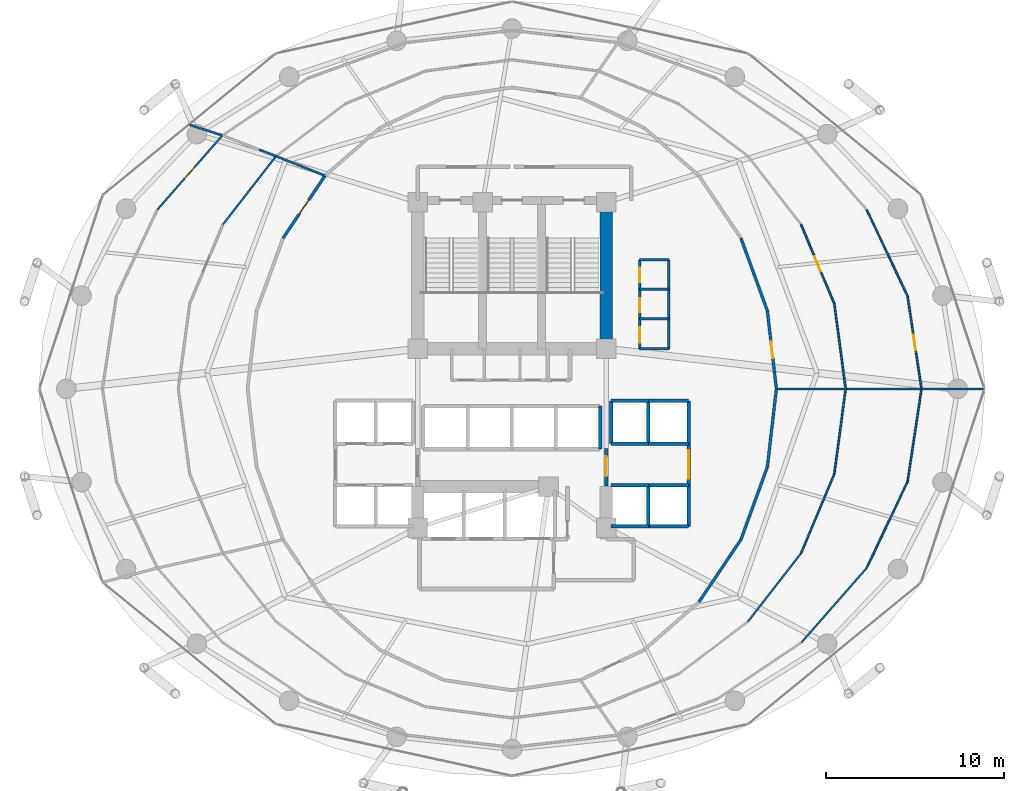
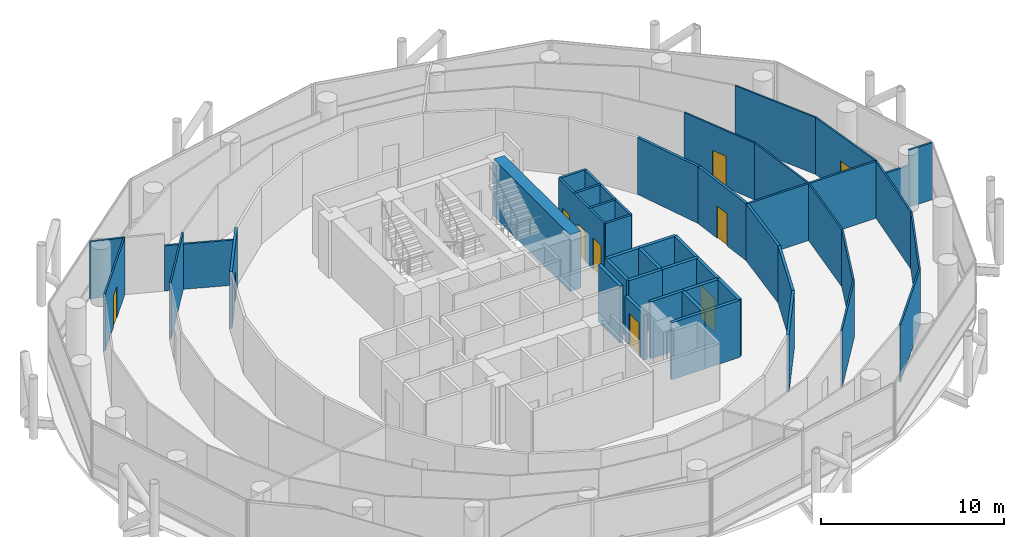
# One storey, part 23 of 26: 48 walls, 10 doors, 10 openings.
"""IFC4 building model written with IfcOpenShell, lengths in metres."""

import ifcopenshell
import ifcopenshell.guid

model = None  # the IFC model being written
_history = None  # IfcOwnerHistory: only IFC2X3 demands one
_inside = {}  # id of a spatial element -> (the spatial element, [elements in it])
_under = {}  # id of a project, library or spatial element -> (it, [spatial elements below it])
_declared = {}  # id of a project -> (the project, [libraries it declares])
_typed = {}  # id of a type object -> (the type object, [elements of that type])
_made_of = {}  # id of a material, layer set ... -> (it, [elements and type objects made of it])


def new_model(schema):
    """Start an empty IFC model of exactly this schema.

    Asked for "IFC4X3", IfcOpenShell would pick the latest addendum, in which some entities
    have other attributes; the version numbers below select the first issue.
    IFC2X3 requires an IfcOwnerHistory on every rooted entity: one is made here for all.
    """
    global model, _history
    if schema == "IFC4X3":
        model = ifcopenshell.file(schema_version=(4, 3, 0, 0))
    else:
        model = ifcopenshell.file(schema=schema)
    _inside.clear()
    _under.clear()
    _declared.clear()
    _typed.clear()
    _made_of.clear()
    _history = None
    if model.schema == "IFC2X3":
        org = make("IfcOrganization", Name="unknown")
        user = make(
            "IfcPersonAndOrganization",
            ThePerson=make("IfcPerson", FamilyName="unknown"),
            TheOrganization=org,
        )
        app = make(
            "IfcApplication",
            ApplicationDeveloper=org,
            Version="unknown",
            ApplicationFullName="unknown",
            ApplicationIdentifier="unknown",
        )
        _history = make(
            "IfcOwnerHistory",
            OwningUser=user,
            OwningApplication=app,
            ChangeAction="ADDED",
            CreationDate=0,
        )
    return model


def make(cls, **values):
    """One entity of the class cls with the attributes given. An attribute that is None is left unset."""
    return model.create_entity(
        cls, **{name: value for name, value in values.items() if value is not None}
    )


def rooted(cls, **values):
    """An entity with a GlobalId (a new one), such as an element, a storey or a relation."""
    return make(cls, GlobalId=ifcopenshell.guid.new(), OwnerHistory=_history, **values)


def si_unit(unit_type, name, prefix=None):
    """IfcSIUnit, for example si_unit("LENGTHUNIT", "METRE", prefix="MILLI")."""
    return make("IfcSIUnit", UnitType=unit_type, Prefix=prefix, Name=name)


def assignment(units):
    """IfcUnitAssignment: the units of a project."""
    return None if units is None else make("IfcUnitAssignment", Units=units)


def point(xyz):
    """IfcCartesianPoint."""
    return None if xyz is None else make("IfcCartesianPoint", Coordinates=xyz)


def direction(xyz):
    """IfcDirection."""
    return None if xyz is None else make("IfcDirection", DirectionRatios=xyz)


def frame(location, z_axis=None, x_axis=None):
    """IfcAxis2Placement3D, a coordinate frame: its origin and axes. An axis left out is left unset."""
    return make(
        "IfcAxis2Placement3D",
        Location=point(location),
        Axis=direction(z_axis),
        RefDirection=direction(x_axis),
    )


def frame_2d(location, x_axis=None):
    """IfcAxis2Placement2D, a coordinate frame in the plane: its origin and x axis."""
    return make(
        "IfcAxis2Placement2D", Location=point(location), RefDirection=direction(x_axis)
    )


def origin():
    """The frame at (0, 0, 0) with its axes left unset."""
    return frame((0.0, 0.0, 0.0))


def place(relative_to, where):
    """IfcLocalPlacement: puts the frame where relative to a parent placement (None: the world)."""
    return make(
        "IfcLocalPlacement", PlacementRelTo=relative_to, RelativePlacement=where
    )


def context(
    kind, dimensions, precision=None, world=None, true_north=None, identifier=None
):
    """IfcGeometricRepresentationContext, for example the 3D "Model" context."""
    return make(
        "IfcGeometricRepresentationContext",
        ContextIdentifier=identifier,
        ContextType=kind,
        CoordinateSpaceDimension=dimensions,
        Precision=precision,
        WorldCoordinateSystem=world,
        TrueNorth=true_north,
    )


def subcontext(parent, identifier, kind, view, scale=None):
    """IfcGeometricRepresentationSubContext, for example "Body" below "Model"."""
    return make(
        "IfcGeometricRepresentationSubContext",
        ContextIdentifier=identifier,
        ContextType=kind,
        ParentContext=parent,
        TargetScale=scale,
        TargetView=view,
    )


def project(units=None, contexts=None):
    """IfcProject with its units and contexts."""
    return rooted(
        "IfcProject",
        Name="project",
        RepresentationContexts=contexts,
        UnitsInContext=assignment(units),
    )


def spatial(cls, under=None, at=None, **own):
    """A site, building, storey or space (cls), placed at a placement, below another one or the project."""
    s = rooted(cls, ObjectPlacement=at, **own)
    if under is not None:
        _under.setdefault(under.id(), (under, []))[1].append(s)
    return s


def profile(cls, at=None, kind="AREA", **sizes):
    """A parametric profile (cls). Its sizes go by their IFC names, for example OverallWidth=200.0."""
    return make(cls, ProfileType=kind, Position=at, **sizes)


def rectangle(**sizes):
    """IfcRectangleProfileDef."""
    return profile("IfcRectangleProfileDef", **sizes)


def extrude(swept, where, along, depth):
    """IfcExtrudedAreaSolid: the profile swept, set in the frame where, extruded along a direction by depth."""
    return make(
        "IfcExtrudedAreaSolid",
        SweptArea=swept,
        Position=where,
        ExtrudedDirection=direction(along),
        Depth=depth,
    )


def shape(context_of_items, identifier, shape_type, items):
    """IfcShapeRepresentation: the items that make up one representation, for example the "Body"."""
    return make(
        "IfcShapeRepresentation",
        ContextOfItems=context_of_items,
        RepresentationIdentifier=identifier,
        RepresentationType=shape_type,
        Items=items,
    )


def material(Name=None, Category=None):
    """IfcMaterial."""
    return make("IfcMaterial", Name=Name, Category=Category)


def layer(
    of_material, thickness, ventilated=None, Name=None, Category=None, Priority=None
):
    """IfcMaterialLayer: one layer of a wall or slab, of a material (None: an air gap)."""
    return make(
        "IfcMaterialLayer",
        Material=of_material,
        LayerThickness=thickness,
        IsVentilated=ventilated,
        Name=Name,
        Category=Category,
        Priority=Priority,
    )


def layer_set(layers, Name=None):
    """IfcMaterialLayerSet."""
    return make("IfcMaterialLayerSet", MaterialLayers=layers, LayerSetName=Name)


def made_of(thing, what):
    """Note that an element or type object is made of a material, layer set ...; save() writes the relation."""
    if what is not None:
        _made_of.setdefault(what.id(), (what, []))[1].append(thing)
    return thing


def type_object(cls, material=None, **own):
    """A type object (cls), such as IfcWallType, which elements share."""
    return made_of(rooted(cls, **own), material)


def element(
    cls,
    number,
    at=None,
    inside=None,
    cuts=None,
    type_object=None,
    material=None,
    context=None,
    identifier="Body",
    shape_type=None,
    held_by="IfcProductDefinitionShape",
    body=None,
    shapes=None,
    **own,
):
    """One element of the class cls, such as IfcWall. Its Tag is "e" and its number.

    at: its placement. inside: the storey or other place that contains it. cuts: it is an
    opening in that element (IfcRelVoidsElement). A single representation is given by context,
    identifier, shape_type and body (its items); several are given by shapes. held_by: the class
    of the entity that holds the representations. save() writes the other relations.
    """
    e = rooted(cls, Tag="e%d" % number, ObjectPlacement=at, **own)
    if body is not None:
        shapes = [shape(context, identifier, shape_type, body)]
    if shapes is not None:
        e.Representation = make(held_by, Representations=shapes)
    if inside is not None:
        _inside.setdefault(inside.id(), (inside, []))[1].append(e)
    if cuts is not None:
        rooted(
            "IfcRelVoidsElement", RelatingBuildingElement=cuts, RelatedOpeningElement=e
        )
    if type_object is not None:
        _typed.setdefault(type_object.id(), (type_object, []))[1].append(e)
    return made_of(e, material)


def fill(opening, filler):
    """IfcRelFillsElement: the door or window that sits in an opening."""
    return rooted(
        "IfcRelFillsElement",
        RelatingOpeningElement=opening,
        RelatedBuildingElement=filler,
    )


def aggregate(whole, parts):
    """IfcRelAggregates: a whole, such as a stair, and the parts it consists of."""
    return rooted("IfcRelAggregates", RelatingObject=whole, RelatedObjects=parts)


def save(model, path):
    """Write the relations noted so far, then the file.

    IfcRelAggregates (storeys below a building ...), IfcRelContainedInSpatialStructure (elements
    in a storey), IfcRelDefinesByType, IfcRelAssociatesMaterial and IfcRelDeclares: one each for
    every whole, place, type object, material and project.
    """
    for whole, parts in _under.values():
        aggregate(whole, parts)
    for where, things in _inside.values():
        rooted(
            "IfcRelContainedInSpatialStructure",
            RelatedElements=things,
            RelatingStructure=where,
        )
    for kind, things in _typed.values():
        rooted("IfcRelDefinesByType", RelatedObjects=things, RelatingType=kind)
    for what, things in _made_of.values():
        rooted("IfcRelAssociatesMaterial", RelatedObjects=things, RelatingMaterial=what)
    for by, libraries in _declared.values():
        rooted("IfcRelDeclares", RelatingContext=by, RelatedDefinitions=libraries)
    model.write(path)


model = new_model("IFC4")

# Units and contexts
model_context = context("Model", 3, precision=1e-05, world=origin(), true_north=direction((0.0, 1.0)))
body_context = subcontext(model_context, "Body", "Model", "MODEL_VIEW")
ifc_project = project(units=[si_unit("LENGTHUNIT", "METRE"), si_unit("AREAUNIT", "SQUARE_METRE"), si_unit("VOLUMEUNIT", "CUBIC_METRE"), si_unit("PLANEANGLEUNIT", "RADIAN"), si_unit("MASSUNIT", "GRAM", prefix="KILO")], contexts=[model_context])

# Site, building, storey
site_placement = place(None, origin())
site = spatial("IfcSite", under=ifc_project, at=site_placement, CompositionType="ELEMENT")
building_placement = place(site_placement, origin())
building = spatial("IfcBuilding", under=site, at=building_placement, Name="Nuhasar Tower", CompositionType="ELEMENT")
storey_placement = place(building_placement, frame((0.0, 0.0, 93.89990234375)))
storey = spatial("IfcBuildingStorey", under=building, at=storey_placement, Name="L22", CompositionType="ELEMENT", Elevation=93.89990234375)

# Wall
ifc_material_1 = material(Name="Concrete C65/80", Category="concrete")
ifc_layer_1 = layer(ifc_material_1, 0.699951171875)
ifc_layer_set_1 = layer_set([ifc_layer_1], Name="Concrete C65/80")
wall_type_1 = type_object("IfcWallType", Name="WL-CORE-700", PredefinedType="SHEAR", material=ifc_layer_set_1)
wall_1_placement = place(storey_placement, frame((44.300048828125, 29.050048828125, 0.0), z_axis=(0.0, 0.0, 1.0), x_axis=(0.0, 1.0, 0.0)))
element("IfcWall", 1, at=wall_1_placement, inside=storey, type_object=wall_type_1, Name="L22 Core Shear Wall CW-NE CW-700", PredefinedType="SHEAR", context=body_context, shape_type="SweptSolid", body=[
    extrude(rectangle(XDim=8.349853515625, YDim=0.699951171875, at=frame_2d((4.1748046875, 0.0))), origin(), (0.0, 0.0, 1.0), 3.800048828125),
])

# Wall, opening, door
ifc_material_2 = material(Name="Gypsum Board", Category="gypsum")
ifc_layer_2 = layer(ifc_material_2, 0.159912109375)
ifc_layer_set_2 = layer_set([ifc_layer_2], Name="Gypsum Board")
wall_type_2 = type_object("IfcWallType", Name="WL-CORR-160", PredefinedType="PARTITIONING", material=ifc_layer_set_2)
wall_2_placement = place(storey_placement, frame((53.35400390625, 31.18408203125, 0.0), z_axis=(0.0, 0.0, 1.0), x_axis=(0.114680801911, -0.993402392625, 0.0)))
wall_2 = element("IfcWall", 2, at=wall_2_placement, inside=storey, type_object=wall_type_2, Name="L22 Interior Partition CORR-00", PredefinedType="PARTITIONING", context=body_context, shape_type="SweptSolid", body=[
    extrude(rectangle(XDim=4.4130859375, YDim=0.159912109375, at=frame_2d((2.20654296875, 0.0))), origin(), (0.0, 0.0, 1.0), 3.800048828125),
])
opening_1_placement = place(wall_2_placement, frame((1.73193359375, 0.0, 0.0)))
opening_1 = element("IfcOpeningElement", 3, at=opening_1_placement, cuts=wall_2, Name="Opening DO-01", PredefinedType="OPENING", context=body_context, shape_type="SweptSolid", body=[
    extrude(rectangle(XDim=0.949951171875, YDim=2.14990234375, at=frame_2d((0.47509765625, 1.074951171875))), frame((0.0, 0.08984375, 0.0), z_axis=(0.0, -1.0, 0.0), x_axis=(1.0, 0.0, 0.0)), (0.0, 0.0, 1.0), 0.179931640625),
])
ifc_material_3 = material(Name="Timber Oak", Category="wood")
door_type_1 = type_object("IfcDoorType", Name="DR-OFFICE-FD30-950", OperationType="NOTDEFINED", PredefinedType="DOOR", material=ifc_material_3)
door_1_placement = place(opening_1_placement, origin())
door_1 = element("IfcDoor", 4, at=door_1_placement, inside=storey, type_object=door_type_1, Name="L22 Family Office 01 Entry Door", OperationType="SINGLE_SWING_LEFT", OverallHeight=2.14990234375, OverallWidth=0.949951171875, PredefinedType="DOOR", context=body_context, shape_type="SweptSolid", body=[
    extrude(rectangle(XDim=0.949951171875, YDim=2.14990234375, at=frame_2d((0.47509765625, 1.074951171875))), frame((0.0, 0.02490234375, 0.0), z_axis=(0.0, -1.0, 0.0), x_axis=(1.0, 0.0, 0.0)), (0.0, 0.0, 1.0), 0.050048828125),
])
fill(opening_1, door_1)

# Wall
wall_3_placement = place(storey_placement, frame((53.35400390625, 31.18408203125, 0.0), z_axis=(0.0, 0.0, 1.0), x_axis=(-0.341603281562, 0.939844241365, 0.0)))
element("IfcWall", 5, at=wall_3_placement, inside=storey, type_object=wall_type_2, Name="L22 Interior Partition CORR-02", PredefinedType="PARTITIONING", context=body_context, shape_type="SweptSolid", body=[
    extrude(rectangle(XDim=4.347412109375, YDim=0.159912109375, at=frame_2d((2.173828125, 0.0))), origin(), (0.0, 0.0, 1.0), 3.800048828125),
])

# Wall, opening, door
wall_4_placement = place(storey_placement, frame((26.131103515625, 35.27001953125, 0.0), z_axis=(0.0, 0.0, 1.0), x_axis=(0.558319056182, 0.829626320402, 0.0)))
wall_4 = element("IfcWall", 6, at=wall_4_placement, inside=storey, type_object=wall_type_2, Name="L22 Interior Partition CORR-18", PredefinedType="PARTITIONING", context=body_context, shape_type="SweptSolid", body=[
    extrude(rectangle(XDim=4.228515625, YDim=0.159912109375, at=frame_2d((2.1142578125, 0.0))), origin(), (0.0, 0.0, 1.0), 3.800048828125),
])
opening_2_placement = place(wall_4_placement, frame((1.638916015625, 0.0, 0.0)))
opening_2 = element("IfcOpeningElement", 7, at=opening_2_placement, cuts=wall_4, Name="Opening DO-01", PredefinedType="OPENING", context=body_context, shape_type="SweptSolid", body=[
    extrude(rectangle(XDim=0.949951171875, YDim=2.14990234375, at=frame_2d((0.47509765625, 1.074951171875))), frame((0.0, 0.08984375, 0.0), z_axis=(0.0, -1.0, 0.0), x_axis=(1.0, 0.0, 0.0)), (0.0, 0.0, 1.0), 0.179931640625),
])
door_2_placement = place(opening_2_placement, origin())
door_2 = element("IfcDoor", 8, at=door_2_placement, inside=storey, type_object=door_type_1, Name="L22 Private Art Gallery Shop Entry Door", OperationType="SINGLE_SWING_RIGHT", OverallHeight=2.14990234375, OverallWidth=0.949951171875, PredefinedType="DOOR", context=body_context, shape_type="SweptSolid", body=[
    extrude(rectangle(XDim=0.949951171875, YDim=2.14990234375, at=frame_2d((0.47509765625, 1.074951171875))), frame((0.0, 0.02490234375, 0.0), z_axis=(0.0, -1.0, 0.0), x_axis=(1.0, 0.0, 0.0)), (0.0, 0.0, 1.0), 0.050048828125),
])
fill(opening_2, door_2)

# Walls
wall_5_placement = place(storey_placement, frame((49.508056640625, 14.822021484375, 0.0), z_axis=(0.0, 0.0, 1.0), x_axis=(0.558319056182, 0.829626320402, 0.0)))
element("IfcWall", 9, at=wall_5_placement, inside=storey, type_object=wall_type_2, Name="L22 Interior Partition CORR-42", PredefinedType="PARTITIONING", context=body_context, shape_type="SweptSolid", body=[
    extrude(rectangle(XDim=4.228515625, YDim=0.159912109375, at=frame_2d((2.1142578125, 0.0))), origin(), (0.0, 0.0, 1.0), 3.800048828125),
])
wall_6_placement = place(storey_placement, frame((51.868896484375, 18.330078125, 0.0), z_axis=(0.0, 0.0, 1.0), x_axis=(0.341603281562, 0.939844241365, 0.0)))
element("IfcWall", 10, at=wall_6_placement, inside=storey, type_object=wall_type_2, Name="L22 Interior Partition CORR-44", PredefinedType="PARTITIONING", context=body_context, shape_type="SweptSolid", body=[
    extrude(rectangle(XDim=4.347412109375, YDim=0.159912109375, at=frame_2d((2.173828125, 0.0))), origin(), (0.0, 0.0, 1.0), 3.800048828125),
])
wall_7_placement = place(storey_placement, frame((53.35400390625, 22.416015625, 0.0), z_axis=(0.0, 0.0, 1.0), x_axis=(0.114680801911, 0.993402392625, 0.0)))
element("IfcWall", 11, at=wall_7_placement, inside=storey, type_object=wall_type_2, Name="L22 Interior Partition CORR-46", PredefinedType="PARTITIONING", context=body_context, shape_type="SweptSolid", body=[
    extrude(rectangle(XDim=4.4130859375, YDim=0.159912109375, at=frame_2d((2.20654296875, 0.0))), origin(), (0.0, 0.0, 1.0), 3.800048828125),
])

# Wall, opening, door
ifc_material_4 = material(Name="Concrete C45/55", Category="concrete")
ifc_layer_3 = layer(ifc_material_4, 0.199951171875)
ifc_layer_set_3 = layer_set([ifc_layer_3], Name="Concrete C45/55")
wall_type_3 = type_object("IfcWallType", Name="WL-LOBBY-200", PredefinedType="SOLIDWALL", material=ifc_layer_set_3)
wall_8_placement = place(storey_placement, frame((48.929931640625, 21.3798828125, 0.0), z_axis=(0.0, 0.0, 1.0), x_axis=(0.0, 1.0, 0.0)))
wall_8 = element("IfcWall", 12, at=wall_8_placement, inside=storey, type_object=wall_type_3, Name="L22 Interior Partition LLBM-E", PredefinedType="SOLIDWALL", context=body_context, shape_type="SweptSolid", body=[
    extrude(rectangle(XDim=2.340087890625, YDim=0.199951171875, at=frame_2d((1.169921875, 0.0))), origin(), (0.0, 0.0, 1.0), 3.800048828125),
])
opening_3_placement = place(wall_8_placement, frame((0.3701171875, 0.0, 0.0)))
opening_3 = element("IfcOpeningElement", 13, at=opening_3_placement, cuts=wall_8, Name="Opening DC-01", PredefinedType="OPENING", context=body_context, shape_type="SweptSolid", body=[
    extrude(rectangle(XDim=1.60009765625, YDim=2.199951171875, at=frame_2d((0.800048828125, 1.10009765625))), frame((0.0, 0.10986328125, 0.0), z_axis=(0.0, -1.0, 0.0), x_axis=(1.0, 0.0, 0.0)), (0.0, 0.0, 1.0), 0.219970703125),
])
ifc_material_5 = material(Name="Steel S355", Category="steel")
door_type_2 = type_object("IfcDoorType", Name="DR-CORR-FD60-1600", OperationType="DOUBLE_DOOR_SINGLE_SWING", PredefinedType="DOOR", material=ifc_material_5)
door_3_placement = place(opening_3_placement, origin())
door_3 = element("IfcDoor", 14, at=door_3_placement, inside=storey, type_object=door_type_2, Name="L22 Mid-Rise Lift Lobby East Entry", OperationType="DOUBLE_DOOR_SINGLE_SWING", OverallHeight=2.199951171875, OverallWidth=1.60009765625, PredefinedType="DOOR", context=body_context, shape_type="SweptSolid", body=[
    extrude(rectangle(XDim=1.60009765625, YDim=2.199951171875, at=frame_2d((0.800048828125, 1.10009765625))), frame((0.0, 0.02490234375, 0.0), z_axis=(0.0, -1.0, 0.0), x_axis=(1.0, 0.0, 0.0)), (0.0, 0.0, 1.0), 0.050048828125),
])
fill(opening_3, door_3)

wall_9_placement = place(storey_placement, frame((44.300048828125, 21.35009765625, 0.0), z_axis=(0.0, 0.0, 1.0), x_axis=(0.0, 1.0, 0.0)))
wall_9 = element("IfcWall", 15, at=wall_9_placement, inside=storey, type_object=wall_type_3, Name="L22 Interior Partition LLBH-E", PredefinedType="SOLIDWALL", context=body_context, shape_type="SweptSolid", body=[
    extrude(rectangle(XDim=2.099853515625, YDim=0.199951171875, at=frame_2d((1.0498046875, 0.0))), origin(), (0.0, 0.0, 1.0), 3.02001953125),
])
opening_4_placement = place(wall_9_placement, frame((0.550048828125, 0.0, 0.0)))
opening_4 = element("IfcOpeningElement", 16, at=opening_4_placement, cuts=wall_9, Name="Opening DS-02", PredefinedType="OPENING", context=body_context, shape_type="SweptSolid", body=[
    extrude(rectangle(XDim=1.10009765625, YDim=2.14990234375, at=frame_2d((0.550048828125, 1.074951171875))), frame((0.0, 0.10986328125, 0.0), z_axis=(0.0, -1.0, 0.0), x_axis=(1.0, 0.0, 0.0)), (0.0, 0.0, 1.0), 0.219970703125),
])
door_type_3 = type_object("IfcDoorType", Name="DR-FFL-FD120-1100", OperationType="NOTDEFINED", PredefinedType="DOOR", material=ifc_material_5)
door_4_placement = place(opening_4_placement, origin())
door_4 = element("IfcDoor", 17, at=door_4_placement, inside=storey, type_object=door_type_3, Name="L22 High-Rise Lobby East Door", OperationType="SINGLE_SWING_RIGHT", OverallHeight=2.14990234375, OverallWidth=1.10009765625, PredefinedType="DOOR", context=body_context, shape_type="SweptSolid", body=[
    extrude(rectangle(XDim=1.10009765625, YDim=2.14990234375, at=frame_2d((0.550048828125, 1.074951171875))), frame((0.0, 0.02490234375, 0.0), z_axis=(0.0, -1.0, 0.0), x_axis=(1.0, 0.0, 0.0)), (0.0, 0.0, 1.0), 0.050048828125),
])
fill(opening_4, door_4)

# Wall
ifc_material_6 = material(Name="Aluminium 6063-T6", Category="aluminium")
ifc_layer_4 = layer(ifc_material_6, 0.10009765625)
ifc_layer_set_4 = layer_set([ifc_layer_4], Name="Aluminium 6063-T6")
wall_type_4 = type_object("IfcWallType", Name="WL-MOVABLE-100", PredefinedType="MOVABLE", material=ifc_layer_set_4)
wall_10_placement = place(storey_placement, frame((57.7548828125, 26.800048828125, 0.0), z_axis=(0.0, 0.0, 1.0), x_axis=(-0.132299485803, 0.991209789125, 0.0)))
element("IfcWall", 18, at=wall_10_placement, inside=storey, type_object=wall_type_4, Name="L22 Interior Partition OR1-01-00", PredefinedType="MOVABLE", context=body_context, shape_type="SweptSolid", body=[
    extrude(rectangle(XDim=4.829345703125, YDim=0.10009765625, at=frame_2d((2.41455078125, 0.0))), origin(), (0.0, 0.0, 1.0), 3.800048828125),
])

# Wall, opening, door
wall_11_placement = place(storey_placement, frame((57.115966796875, 31.5869140625, 0.0), z_axis=(0.0, 0.0, 1.0), x_axis=(-0.387289954907, 0.921957965869, 0.0)))
wall_11 = element("IfcWall", 19, at=wall_11_placement, inside=storey, type_object=wall_type_4, Name="L22 Interior Partition OR1-01-02", PredefinedType="MOVABLE", context=body_context, shape_type="SweptSolid", body=[
    extrude(rectangle(XDim=4.8388671875, YDim=0.10009765625, at=frame_2d((2.41943359375, 0.0))), origin(), (0.0, 0.0, 1.0), 3.800048828125),
])
opening_5_placement = place(wall_11_placement, frame((1.968994140625, 0.0, 0.0)))
opening_5 = element("IfcOpeningElement", 20, at=opening_5_placement, cuts=wall_11, Name="Opening DR-01", PredefinedType="OPENING", context=body_context, shape_type="SweptSolid", body=[
    extrude(rectangle(XDim=0.89990234375, YDim=2.10009765625, at=frame_2d((0.449951171875, 1.050048828125))), frame((0.0, 0.06005859375, 0.0), z_axis=(0.0, -1.0, 0.0), x_axis=(1.0, 0.0, 0.0)), (0.0, 0.0, 1.0), 0.1201171875),
])
door_type_4 = type_object("IfcDoorType", Name="DR-ROOM-900", OperationType="NOTDEFINED", PredefinedType="DOOR", material=ifc_material_3)
door_5_placement = place(opening_5_placement, origin())
door_5 = element("IfcDoor", 21, at=door_5_placement, inside=storey, type_object=door_type_4, Name="L22 Family Office 01 Mid Door", OperationType="SINGLE_SWING_LEFT", OverallHeight=2.10009765625, OverallWidth=0.89990234375, PredefinedType="DOOR", context=body_context, shape_type="SweptSolid", body=[
    extrude(rectangle(XDim=0.89990234375, YDim=2.10009765625, at=frame_2d((0.449951171875, 1.050048828125))), frame((0.0, 0.02490234375, 0.0), z_axis=(0.0, -1.0, 0.0), x_axis=(1.0, 0.0, 0.0)), (0.0, 0.0, 1.0), 0.050048828125),
])
fill(opening_5, door_5)

wall_12_placement = place(storey_placement, frame((62.01806640625, 26.800048828125, 0.0), z_axis=(0.0, 0.0, 1.0), x_axis=(-0.148729896957, 0.988877857853, 0.0)))
wall_12 = element("IfcWall", 22, at=wall_12_placement, inside=storey, type_object=wall_type_4, Name="L22 Interior Partition OR2-01-00", PredefinedType="MOVABLE", context=body_context, shape_type="SweptSolid", body=[
    extrude(rectangle(XDim=5.2724609375, YDim=0.10009765625, at=frame_2d((2.63623046875, 0.0))), origin(), (0.0, 0.0, 1.0), 3.800048828125),
])
opening_6_placement = place(wall_12_placement, frame((2.18603515625, 0.0, 0.0)))
opening_6 = element("IfcOpeningElement", 23, at=opening_6_placement, cuts=wall_12, Name="Opening DR-01", PredefinedType="OPENING", context=body_context, shape_type="SweptSolid", body=[
    extrude(rectangle(XDim=0.89990234375, YDim=2.10009765625, at=frame_2d((0.449951171875, 1.050048828125))), frame((0.0, 0.06005859375, 0.0), z_axis=(0.0, -1.0, 0.0), x_axis=(1.0, 0.0, 0.0)), (0.0, 0.0, 1.0), 0.1201171875),
])
door_6_placement = place(opening_6_placement, origin())
door_6 = element("IfcDoor", 24, at=door_6_placement, inside=storey, type_object=door_type_4, Name="L22 Family Office 01 Outer Door", OperationType="SINGLE_SWING_LEFT", OverallHeight=2.10009765625, OverallWidth=0.89990234375, PredefinedType="DOOR", context=body_context, shape_type="SweptSolid", body=[
    extrude(rectangle(XDim=0.89990234375, YDim=2.10009765625, at=frame_2d((0.449951171875, 1.050048828125))), frame((0.0, 0.02490234375, 0.0), z_axis=(0.0, -1.0, 0.0), x_axis=(1.0, 0.0, 0.0)), (0.0, 0.0, 1.0), 0.050048828125),
])
fill(opening_6, door_6)

# Walls
wall_13_placement = place(storey_placement, frame((61.23388671875, 32.013916015625, 0.0), z_axis=(0.0, 0.0, 1.0), x_axis=(-0.42779935224, 0.903873726924, 0.0)))
element("IfcWall", 25, at=wall_13_placement, inside=storey, type_object=wall_type_4, Name="L22 Interior Partition OR2-01-02", PredefinedType="MOVABLE", context=body_context, shape_type="SweptSolid", body=[
    extrude(rectangle(XDim=5.3759765625, YDim=0.10009765625, at=frame_2d((2.68798828125, 0.0))), origin(), (0.0, 0.0, 1.0), 3.800048828125),
])
wall_14_placement = place(storey_placement, frame((25.738037109375, 39.87890625, 0.0), z_axis=(0.0, 0.0, 1.0), x_axis=(-0.613999814684, -0.789306168459, 0.0)))
element("IfcWall", 26, at=wall_14_placement, inside=storey, type_object=wall_type_4, Name="L22 Interior Partition OR1-03-18", PredefinedType="MOVABLE", context=body_context, shape_type="SweptSolid", body=[
    extrude(rectangle(XDim=4.853271484375, YDim=0.10009765625, at=frame_2d((2.4267578125, 0.0))), origin(), (0.0, 0.0, 1.0), 3.800048828125),
])

# Wall, opening, door
wall_15_placement = place(storey_placement, frame((22.72412109375, 41.044921875, 0.0), z_axis=(0.0, 0.0, 1.0), x_axis=(-0.659301696391, -0.751878496258, 0.0)))
wall_15 = element("IfcWall", 27, at=wall_15_placement, inside=storey, type_object=wall_type_4, Name="L22 Interior Partition OR2-03-18", PredefinedType="MOVABLE", context=body_context, shape_type="SweptSolid", body=[
    extrude(rectangle(XDim=5.548583984375, YDim=0.10009765625, at=frame_2d((2.7744140625, 0.0))), origin(), (0.0, 0.0, 1.0), 3.800048828125),
])
opening_7_placement = place(wall_15_placement, frame((2.323974609375, 0.0, 0.0)))
opening_7 = element("IfcOpeningElement", 28, at=opening_7_placement, cuts=wall_15, Name="Opening DR-01", PredefinedType="OPENING", context=body_context, shape_type="SweptSolid", body=[
    extrude(rectangle(XDim=0.89990234375, YDim=2.10009765625, at=frame_2d((0.449951171875, 1.050048828125))), frame((0.0, 0.06005859375, 0.0), z_axis=(0.0, -1.0, 0.0), x_axis=(1.0, 0.0, 0.0)), (0.0, 0.0, 1.0), 0.1201171875),
])
door_7_placement = place(opening_7_placement, origin())
door_7 = element("IfcDoor", 29, at=door_7_placement, inside=storey, type_object=door_type_4, Name="L22 Private Art Gallery Shop Outer Door", OperationType="SINGLE_SWING_LEFT", OverallHeight=2.10009765625, OverallWidth=0.89990234375, PredefinedType="DOOR", context=body_context, shape_type="SweptSolid", body=[
    extrude(rectangle(XDim=0.89990234375, YDim=2.10009765625, at=frame_2d((0.449951171875, 1.050048828125))), frame((0.0, 0.02490234375, 0.0), z_axis=(0.0, -1.0, 0.0), x_axis=(1.0, 0.0, 0.0)), (0.0, 0.0, 1.0), 0.050048828125),
])
fill(opening_7, door_7)

# Walls
wall_16_placement = place(storey_placement, frame((52.261962890625, 13.720947265625, 0.0), z_axis=(0.0, 0.0, 1.0), x_axis=(0.613975436768, 0.789325131391, 0.0)))
element("IfcWall", 30, at=wall_16_placement, inside=storey, type_object=wall_type_4, Name="L22 Interior Partition OR1-05-42", PredefinedType="MOVABLE", context=body_context, shape_type="SweptSolid", body=[
    extrude(rectangle(XDim=4.853515625, YDim=0.10009765625, at=frame_2d((2.4267578125, 0.0))), origin(), (0.0, 0.0, 1.0), 3.800048828125),
])
wall_17_placement = place(storey_placement, frame((55.241943359375, 17.552001953125, 0.0), z_axis=(0.0, 0.0, 1.0), x_axis=(0.387307971266, 0.921950397469, 0.0)))
element("IfcWall", 31, at=wall_17_placement, inside=storey, type_object=wall_type_4, Name="L22 Interior Partition OR1-05-44", PredefinedType="MOVABLE", context=body_context, shape_type="SweptSolid", body=[
    extrude(rectangle(XDim=4.838623046875, YDim=0.10009765625, at=frame_2d((2.41943359375, 0.0))), origin(), (0.0, 0.0, 1.0), 3.800048828125),
])
wall_18_placement = place(storey_placement, frame((57.115966796875, 22.012939453125, 0.0), z_axis=(0.0, 0.0, 1.0), x_axis=(0.132292856672, 0.99121067391, 0.0)))
element("IfcWall", 32, at=wall_18_placement, inside=storey, type_object=wall_type_4, Name="L22 Interior Partition OR1-05-46", PredefinedType="MOVABLE", context=body_context, shape_type="SweptSolid", body=[
    extrude(rectangle(XDim=4.82958984375, YDim=0.10009765625, at=frame_2d((2.414794921875, 0.0))), origin(), (0.0, 0.0, 1.0), 3.800048828125),
])
wall_19_placement = place(storey_placement, frame((55.27587890625, 12.554931640625, 0.0), z_axis=(0.0, 0.0, 1.0), x_axis=(0.659279885197, 0.751897621338, 0.0)))
element("IfcWall", 33, at=wall_19_placement, inside=storey, type_object=wall_type_4, Name="L22 Interior Partition OR2-05-42", PredefinedType="MOVABLE", context=body_context, shape_type="SweptSolid", body=[
    extrude(rectangle(XDim=5.548828125, YDim=0.10009765625, at=frame_2d((2.7744140625, 0.0))), origin(), (0.0, 0.0, 1.0), 3.800048828125),
])
wall_20_placement = place(storey_placement, frame((58.93408203125, 16.72705078125, 0.0), z_axis=(0.0, 0.0, 1.0), x_axis=(0.427816913389, 0.903865415102, 0.0)))
element("IfcWall", 34, at=wall_20_placement, inside=storey, type_object=wall_type_4, Name="L22 Interior Partition OR2-05-44", PredefinedType="MOVABLE", context=body_context, shape_type="SweptSolid", body=[
    extrude(rectangle(XDim=5.375732421875, YDim=0.10009765625, at=frame_2d((2.68798828125, 0.0))), origin(), (0.0, 0.0, 1.0), 3.800048828125),
])
wall_21_placement = place(storey_placement, frame((61.23388671875, 21.5859375, 0.0), z_axis=(0.0, 0.0, 1.0), x_axis=(0.148723087006, 0.988878882064, 0.0)))
element("IfcWall", 35, at=wall_21_placement, inside=storey, type_object=wall_type_4, Name="L22 Interior Partition OR2-05-46", PredefinedType="MOVABLE", context=body_context, shape_type="SweptSolid", body=[
    extrude(rectangle(XDim=5.272705078125, YDim=0.10009765625, at=frame_2d((2.63623046875, 0.0))), origin(), (0.0, 0.0, 1.0), 3.800048828125),
])
ifc_layer_5 = layer(ifc_material_2, 0.125)
ifc_layer_set_5 = layer_set([ifc_layer_5], Name="Gypsum Board")
wall_type_5 = type_object("IfcWallType", Name="WL-PART-125", PredefinedType="PARTITIONING", material=ifc_layer_set_5)
wall_22_placement = place(storey_placement, frame((53.860107421875, 26.800048828125, 0.0), z_axis=(0.0, 0.0, 1.0), x_axis=(1.0, 0.0, 0.0)))
element("IfcWall", 36, at=wall_22_placement, inside=storey, type_object=wall_type_5, Name="L22 Interior Partition ORAD7-00-S1", PredefinedType="PARTITIONING", context=body_context, shape_type="SweptSolid", body=[
    extrude(rectangle(XDim=3.894775390625, YDim=0.125, at=frame_2d((1.947265625, 0.0))), origin(), (0.0, 0.0, 1.0), 3.800048828125),
])
wall_23_placement = place(storey_placement, frame((57.7548828125, 26.800048828125, 0.0), z_axis=(0.0, 0.0, 1.0), x_axis=(1.0, 0.0, 0.0)))
element("IfcWall", 37, at=wall_23_placement, inside=storey, type_object=wall_type_5, Name="L22 Interior Partition ORAD7-00-S2", PredefinedType="PARTITIONING", context=body_context, shape_type="SweptSolid", body=[
    extrude(rectangle(XDim=4.26318359375, YDim=0.125, at=frame_2d((2.131591796875, 0.0))), origin(), (0.0, 0.0, 1.0), 3.800048828125),
])
wall_24_placement = place(storey_placement, frame((62.01806640625, 26.800048828125, 0.0), z_axis=(0.0, 0.0, 1.0), x_axis=(1.0, 0.0, 0.0)))
element("IfcWall", 38, at=wall_24_placement, inside=storey, type_object=wall_type_5, Name="L22 Interior Partition ORAD7-00-S3", PredefinedType="PARTITIONING", context=body_context, shape_type="SweptSolid", body=[
    extrude(rectangle(XDim=2.038818359375, YDim=0.125, at=frame_2d((1.01953125, 0.0))), origin(), (0.0, 0.0, 1.0), 2.7900390625),
])
wall_25_placement = place(storey_placement, frame((64.056884765625, 26.800048828125, 0.0), z_axis=(0.0, 0.0, 1.0), x_axis=(1.0, 0.0, 0.0)))
element("IfcWall", 39, at=wall_25_placement, inside=storey, type_object=wall_type_5, Name="L22 Interior Partition ORAD7-00-S3", PredefinedType="PARTITIONING", context=body_context, shape_type="SweptSolid", body=[
    extrude(rectangle(XDim=1.468017578125, YDim=0.125, at=frame_2d((0.73388671875, 0.0))), origin(), (0.0, 0.0, 1.0), 3.800048828125),
])
wall_26_placement = place(storey_placement, frame((28.491943359375, 38.778076171875, 0.0), z_axis=(0.0, 0.0, 1.0), x_axis=(-0.928561824385, 0.371177771822, 0.0)))
element("IfcWall", 40, at=wall_26_placement, inside=storey, type_object=wall_type_5, Name="L22 Interior Partition ORAD7-18-S1", PredefinedType="PARTITIONING", context=body_context, shape_type="SweptSolid", body=[
    extrude(rectangle(XDim=2.9658203125, YDim=0.125, at=frame_2d((1.48291015625, 0.0))), origin(), (0.0, 0.0, 1.0), 3.02001953125),
])
wall_27_placement = place(storey_placement, frame((25.738037109375, 39.87890625, 0.0), z_axis=(0.0, 0.0, 1.0), x_axis=(-0.932693379072, 0.360670293531, 0.0)))
element("IfcWall", 41, at=wall_27_placement, inside=storey, type_object=wall_type_5, Name="L22 Interior Partition ORAD7-18-S2", PredefinedType="PARTITIONING", context=body_context, shape_type="SweptSolid", body=[
    extrude(rectangle(XDim=1.015380859375, YDim=0.125, at=frame_2d((0.5078125, 0.0))), origin(), (0.0, 0.0, 1.0), 3.02001953125),
])
wall_28_placement = place(storey_placement, frame((22.72412109375, 41.044921875, 0.0), z_axis=(0.0, 0.0, 1.0), x_axis=(-0.951840581079, 0.306593392314, 0.0)))
element("IfcWall", 42, at=wall_28_placement, inside=storey, type_object=wall_type_5, Name="L22 Interior Partition ORAD7-18-S3", PredefinedType="PARTITIONING", context=body_context, shape_type="SweptSolid", body=[
    extrude(rectangle(XDim=1.934326171875, YDim=0.125, at=frame_2d((0.96728515625, 0.0))), origin(), (0.0, 0.0, 1.0), 3.800048828125),
])
ifc_layer_6 = layer(ifc_material_4, 0.199951171875)
ifc_layer_set_6 = layer_set([ifc_layer_6], Name="Concrete C45/55")
wall_type_6 = type_object("IfcWallType", Name="WL-SHAFT-200", PredefinedType="SOLIDWALL", material=ifc_layer_set_6)
for number, where, z_axis, x_axis, name in (
    (43, (44.570068359375, 23.719970703125, 0.0), (0.0, 0.0, 1.0), (1.0, 0.0, 0.0), "L22 Interior Partition SHF-PL-M01-S"),
    (44, (44.570068359375, 26.1298828125, 0.0), (0.0, 0.0, 1.0), (1.0, 0.0, 0.0), "L22 Interior Partition SHF-PL-M01-N"),
):
    element("IfcWall", number, at=place(storey_placement, frame(where, z_axis=z_axis, x_axis=x_axis)), inside=storey, type_object=wall_type_6, Name=name, PredefinedType="SOLIDWALL", context=body_context, shape_type="SweptSolid", body=[
        extrude(rectangle(XDim=2.10986328125, YDim=0.199951171875, at=frame_2d((1.054931640625, 0.0))), origin(), (0.0, 0.0, 1.0), 3.800048828125),
    ])
for number, where, z_axis, x_axis, name in (
    (45, (44.570068359375, 23.719970703125, 0.0), (0.0, 0.0, 1.0), (0.0, 1.0, 0.0), "L22 Interior Partition SHF-PL-M01-W"),
    (46, (46.64990234375, 23.719970703125, 0.0), (0.0, 0.0, 1.0), (0.0, 1.0, 0.0), "L22 Interior Partition SHF-PL-M01-E"),
):
    element("IfcWall", number, at=place(storey_placement, frame(where, z_axis=z_axis, x_axis=x_axis)), inside=storey, type_object=wall_type_6, Name=name, PredefinedType="SOLIDWALL", context=body_context, shape_type="SweptSolid", body=[
        extrude(rectangle(XDim=2.409912109375, YDim=0.199951171875, at=frame_2d((1.205078125, 0.0))), origin(), (0.0, 0.0, 1.0), 3.800048828125),
    ])
for number, where, z_axis, x_axis, name in (
    (47, (46.6201171875, 23.719970703125, 0.0), (0.0, 0.0, 1.0), (1.0, 0.0, 0.0), "L22 Interior Partition SHF-PL-M02-S"),
    (48, (46.6201171875, 26.1298828125, 0.0), (0.0, 0.0, 1.0), (1.0, 0.0, 0.0), "L22 Interior Partition SHF-PL-M02-N"),
):
    element("IfcWall", number, at=place(storey_placement, frame(where, z_axis=z_axis, x_axis=x_axis)), inside=storey, type_object=wall_type_6, Name=name, PredefinedType="SOLIDWALL", context=body_context, shape_type="SweptSolid", body=[
        extrude(rectangle(XDim=2.309814453125, YDim=0.199951171875, at=frame_2d((1.15478515625, 0.0))), origin(), (0.0, 0.0, 1.0), 3.800048828125),
    ])
wall_29_placement = place(storey_placement, frame((48.929931640625, 23.719970703125, 0.0), z_axis=(0.0, 0.0, 1.0), x_axis=(0.0, 1.0, 0.0)))
element("IfcWall", 49, at=wall_29_placement, inside=storey, type_object=wall_type_6, Name="L22 Interior Partition SHF-PL-M02-E", PredefinedType="SOLIDWALL", context=body_context, shape_type="SweptSolid", body=[
    extrude(rectangle(XDim=2.409912109375, YDim=0.199951171875, at=frame_2d((1.205078125, 0.0))), origin(), (0.0, 0.0, 1.0), 3.800048828125),
])
for number, where, z_axis, x_axis, name in (
    (50, (44.570068359375, 19.070068359375, 0.0), (0.0, 0.0, 1.0), (1.0, 0.0, 0.0), "L22 Interior Partition SHF-PL-M03-S"),
    (51, (44.570068359375, 21.3798828125, 0.0), (0.0, 0.0, 1.0), (1.0, 0.0, 0.0), "L22 Interior Partition SHF-PL-M03-N"),
):
    element("IfcWall", number, at=place(storey_placement, frame(where, z_axis=z_axis, x_axis=x_axis)), inside=storey, type_object=wall_type_6, Name=name, PredefinedType="SOLIDWALL", context=body_context, shape_type="SweptSolid", body=[
        extrude(rectangle(XDim=2.10986328125, YDim=0.199951171875, at=frame_2d((1.054931640625, 0.0))), origin(), (0.0, 0.0, 1.0), 3.800048828125),
    ])
for number, where, z_axis, x_axis, name in (
    (52, (46.64990234375, 19.070068359375, 0.0), (0.0, 0.0, 1.0), (0.0, 1.0, 0.0), "L22 Interior Partition SHF-PL-M03-E"),
    (53, (46.6201171875, 19.070068359375, 0.0), (0.0, 0.0, 1.0), (1.0, 0.0, 0.0), "L22 Interior Partition SHF-PL-M04-S"),
    (54, (46.6201171875, 21.3798828125, 0.0), (0.0, 0.0, 1.0), (1.0, 0.0, 0.0), "L22 Interior Partition SHF-PL-M04-N"),
    (55, (48.929931640625, 19.070068359375, 0.0), (0.0, 0.0, 1.0), (0.0, 1.0, 0.0), "L22 Interior Partition SHF-PL-M04-E"),
):
    element("IfcWall", number, at=place(storey_placement, frame(where, z_axis=z_axis, x_axis=x_axis)), inside=storey, type_object=wall_type_6, Name=name, PredefinedType="SOLIDWALL", context=body_context, shape_type="SweptSolid", body=[
        extrude(rectangle(XDim=2.309814453125, YDim=0.199951171875, at=frame_2d((1.15478515625, 0.0))), origin(), (0.0, 0.0, 1.0), 3.800048828125),
    ])
wall_30_placement = place(storey_placement, frame((43.9599609375, 23.419921875, 0.0), z_axis=(0.0, 0.0, 1.0), x_axis=(0.0, 1.0, 0.0)))
element("IfcWall", 56, at=wall_30_placement, inside=storey, type_object=wall_type_6, Name="L22 Interior Partition SHF-PL-H04-E", PredefinedType="SOLIDWALL", context=body_context, shape_type="SweptSolid", body=[
    extrude(rectangle(XDim=2.41015625, YDim=0.199951171875, at=frame_2d((1.205078125, 0.0))), origin(), (0.0, 0.0, 1.0), 3.800048828125),
])

# Wall, openings, doors
ifc_material_7 = material(Name="Concrete C40/50 precast", Category="concrete")
ifc_layer_7 = layer(ifc_material_7, 0.139892578125)
ifc_layer_set_7 = layer_set([ifc_layer_7], Name="Concrete C40/50 precast")
wall_type_7 = type_object("IfcWallType", Name="WL-WET-140", PredefinedType="PARTITIONING", material=ifc_layer_set_7)
wall_31_placement = place(storey_placement, frame((46.179931640625, 34.050048828125, 0.0), z_axis=(0.0, 0.0, 1.0), x_axis=(0.0, -1.0, 0.0)))
wall_31 = element("IfcWall", 57, at=wall_31_placement, inside=storey, type_object=wall_type_7, Name="L22 Interior Partition K1-NE-W", PredefinedType="PARTITIONING", context=body_context, shape_type="SweptSolid", body=[
    extrude(rectangle(XDim=5.0, YDim=0.139892578125, at=frame_2d((2.5, 0.0))), origin(), (0.0, 0.0, 1.0), 3.800048828125),
])
opening_8_placement = place(wall_31_placement, frame((3.800048828125, 0.0, 0.0)))
opening_8 = element("IfcOpeningElement", 58, at=opening_8_placement, cuts=wall_31, Name="Opening DB-01", PredefinedType="OPENING", context=body_context, shape_type="SweptSolid", body=[
    extrude(rectangle(XDim=0.85009765625, YDim=2.10009765625, at=frame_2d((0.425048828125, 1.050048828125))), frame((0.0, 0.080078125, 0.0), z_axis=(0.0, -1.0, 0.0), x_axis=(1.0, 0.0, 0.0)), (0.0, 0.0, 1.0), 0.159912109375),
])
opening_9_placement = place(wall_31_placement, frame((2.14990234375, 0.0, 0.0)))
opening_9 = element("IfcOpeningElement", 59, at=opening_9_placement, cuts=wall_31, Name="Opening DM-01", PredefinedType="OPENING", context=body_context, shape_type="SweptSolid", body=[
    extrude(rectangle(XDim=0.800048828125, YDim=2.050048828125, at=frame_2d((0.39990234375, 1.02490234375))), frame((0.0, 0.080078125, 0.0), z_axis=(0.0, -1.0, 0.0), x_axis=(1.0, 0.0, 0.0)), (0.0, 0.0, 1.0), 0.159912109375),
])
opening_10_placement = place(wall_31_placement, frame((0.449951171875, 0.0, 0.0)))
opening_10 = element("IfcOpeningElement", 60, at=opening_10_placement, cuts=wall_31, Name="Opening DM-01", PredefinedType="OPENING", context=body_context, shape_type="SweptSolid", body=[
    extrude(rectangle(XDim=0.800048828125, YDim=2.050048828125, at=frame_2d((0.39990234375, 1.02490234375))), frame((0.0, 0.080078125, 0.0), z_axis=(0.0, -1.0, 0.0), x_axis=(1.0, 0.0, 0.0)), (0.0, 0.0, 1.0), 0.159912109375),
])
door_type_5 = type_object("IfcDoorType", Name="DR-BATH-850", OperationType="NOTDEFINED", PredefinedType="DOOR", material=ifc_material_3)
door_8_placement = place(opening_8_placement, origin())
door_8 = element("IfcDoor", 61, at=door_8_placement, inside=storey, type_object=door_type_5, Name="L22 NE Female WC Door", OperationType="SINGLE_SWING_RIGHT", OverallHeight=2.10009765625, OverallWidth=0.85009765625, PredefinedType="DOOR", context=body_context, shape_type="SweptSolid", body=[
    extrude(rectangle(XDim=0.85009765625, YDim=2.10009765625, at=frame_2d((0.425048828125, 1.050048828125))), frame((0.0, 0.02490234375, 0.0), z_axis=(0.0, -1.0, 0.0), x_axis=(1.0, 0.0, 0.0)), (0.0, 0.0, 1.0), 0.050048828125),
])
fill(opening_8, door_8)
door_type_6 = type_object("IfcDoorType", Name="DR-RISER-FD60-800", OperationType="NOTDEFINED", PredefinedType="DOOR", material=ifc_material_5)
door_9_placement = place(opening_9_placement, origin())
door_9 = element("IfcDoor", 62, at=door_9_placement, inside=storey, type_object=door_type_6, Name="L22 NE Meter Door", OperationType="SINGLE_SWING_RIGHT", OverallHeight=2.050048828125, OverallWidth=0.800048828125, PredefinedType="DOOR", context=body_context, shape_type="SweptSolid", body=[
    extrude(rectangle(XDim=0.800048828125, YDim=2.050048828125, at=frame_2d((0.39990234375, 1.02490234375))), frame((0.0, 0.02490234375, 0.0), z_axis=(0.0, -1.0, 0.0), x_axis=(1.0, 0.0, 0.0)), (0.0, 0.0, 1.0), 0.050048828125),
])
fill(opening_9, door_9)
door_10_placement = place(opening_10_placement, origin())
door_10 = element("IfcDoor", 63, at=door_10_placement, inside=storey, type_object=door_type_6, Name="L22 NE Telecom Door", OperationType="SINGLE_SWING_LEFT", OverallHeight=2.050048828125, OverallWidth=0.800048828125, PredefinedType="DOOR", context=body_context, shape_type="SweptSolid", body=[
    extrude(rectangle(XDim=0.800048828125, YDim=2.050048828125, at=frame_2d((0.39990234375, 1.02490234375))), frame((0.0, 0.02490234375, 0.0), z_axis=(0.0, -1.0, 0.0), x_axis=(1.0, 0.0, 0.0)), (0.0, 0.0, 1.0), 0.050048828125),
])
fill(opening_10, door_10)

# Walls
for number, where, z_axis, x_axis, name in (
    (64, (46.179931640625, 29.050048828125, 0.0), (0.0, 0.0, 1.0), (1.0, 0.0, 0.0), "L22 Interior Partition K1-NE-S"),
    (65, (46.179931640625, 30.75, 0.0), (0.0, 0.0, 1.0), (1.0, 0.0, 0.0), "L22 Interior Partition K1-NE-M1"),
    (66, (46.179931640625, 32.39990234375, 0.0), (0.0, 0.0, 1.0), (1.0, 0.0, 0.0), "L22 Interior Partition K1-NE-M2"),
    (67, (46.179931640625, 34.050048828125, 0.0), (0.0, 0.0, 1.0), (1.0, 0.0, 0.0), "L22 Interior Partition K1-NE-N"),
):
    element("IfcWall", number, at=place(storey_placement, frame(where, z_axis=z_axis, x_axis=x_axis)), inside=storey, type_object=wall_type_7, Name=name, PredefinedType="PARTITIONING", context=body_context, shape_type="SweptSolid", body=[
        extrude(rectangle(XDim=1.64013671875, YDim=0.139892578125, at=frame_2d((0.820068359375, 0.0))), origin(), (0.0, 0.0, 1.0), 3.800048828125),
    ])
wall_32_placement = place(storey_placement, frame((47.820068359375, 29.050048828125, 0.0), z_axis=(0.0, 0.0, 1.0), x_axis=(0.0, 1.0, 0.0)))
element("IfcWall", 68, at=wall_32_placement, inside=storey, type_object=wall_type_7, Name="L22 Interior Partition K1-NE-E", PredefinedType="PARTITIONING", context=body_context, shape_type="SweptSolid", body=[
    extrude(rectangle(XDim=5.0, YDim=0.139892578125, at=frame_2d((2.5, 0.0))), origin(), (0.0, 0.0, 1.0), 3.800048828125),
])

save(model, "model.ifc")
